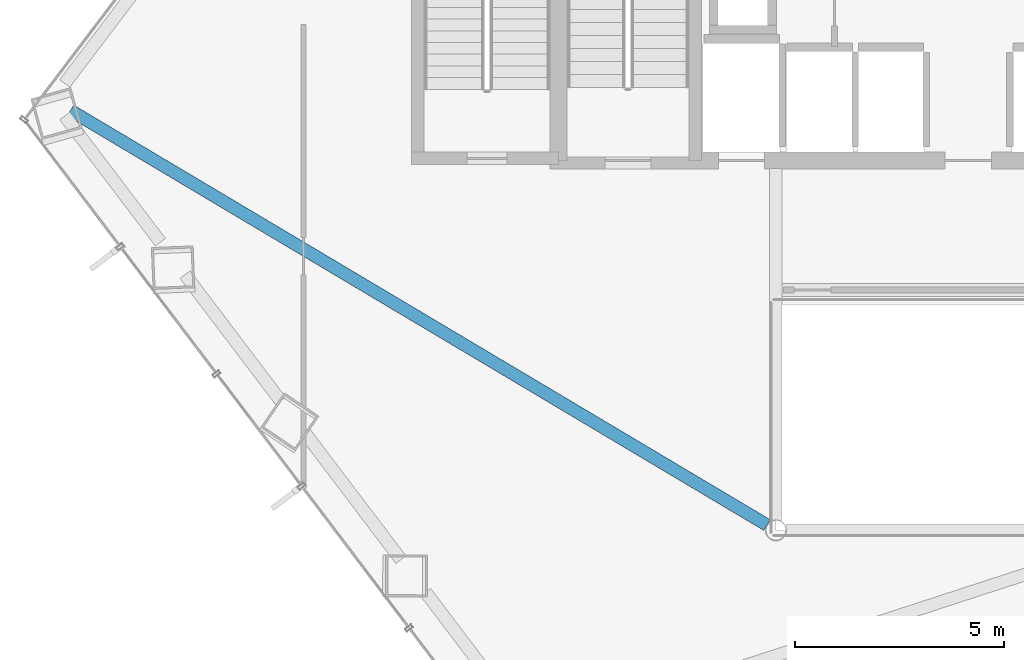
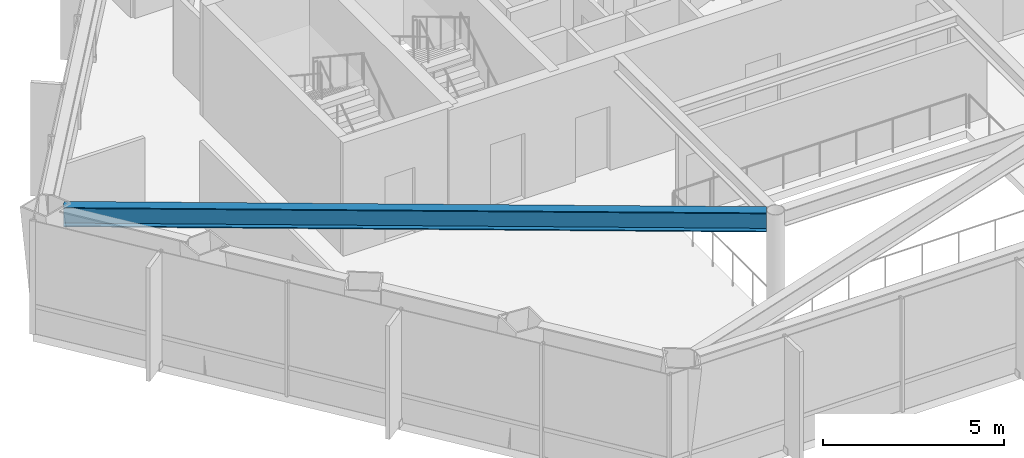
# One storey, part 5 of 27: 1 beam.
"""IFC4 building model written with IfcOpenShell, lengths in metres."""

from ifc_helpers import new_model, si_unit, direction, frame, origin, origin_2d, place, context, subcontext, project, spatial, i_section, extrude, material, material_profile, profile_set, type_object, element, save


model = new_model("IFC4")

# Units and contexts
model_context = context("Model", 3, precision=1e-05, world=origin(), true_north=direction((0.0, 1.0)))
body_context = subcontext(model_context, "Body", "Model", "MODEL_VIEW")
ifc_project = project(units=[si_unit("LENGTHUNIT", "METRE"), si_unit("AREAUNIT", "SQUARE_METRE"), si_unit("VOLUMEUNIT", "CUBIC_METRE"), si_unit("PLANEANGLEUNIT", "RADIAN"), si_unit("MASSUNIT", "GRAM", prefix="KILO")], contexts=[model_context])

# Site, building, storey
site_placement = place(None, origin())
site = spatial("IfcSite", under=ifc_project, at=site_placement, CompositionType="ELEMENT")
building_placement = place(site_placement, origin())
building = spatial("IfcBuilding", under=site, at=building_placement, Name="Zarrinselat Tower", CompositionType="ELEMENT")
storey_placement = place(building_placement, frame((0.0, 0.0, 47.93994140625)))
storey = spatial("IfcBuildingStorey", under=building, at=storey_placement, Name="L11", CompositionType="ELEMENT", Elevation=47.93994140625)

# Beam
ifc_material = material(Name="Steel S355J2", Category="steel")
ifc_material_profile = material_profile(ifc_material, i_section(OverallWidth=0.300048828125, OverallDepth=0.64990234375, WebThickness=0.01611328125, FlangeThickness=0.031005859375, at=origin_2d()), Name="HEB 650")
ifc_profile_set = profile_set([ifc_material_profile], Name="Steel S355J2")
beam_type = type_object("IfcBeamType", Name="BM-HEB650", PredefinedType="BEAM", material=ifc_profile_set)
beam_placement = place(storey_placement, frame((16.923828125, 34.4453125, 3.4951171875), z_axis=(0.859293016173, -0.511483638405, 0.0), x_axis=(0.511483638405, 0.859293016173, 0.0)))
element("IfcBeam", 1, at=beam_placement, inside=storey, type_object=beam_type, Name="L11 Radial Primary Girder RG06", PredefinedType="BEAM", context=body_context, shape_type="SweptSolid", body=[
    extrude(i_section(OverallWidth=0.300048828125, OverallDepth=0.64990234375, WebThickness=0.01611328125, FlangeThickness=0.031005859375, at=origin_2d()), origin(), (0.0, 0.0, 1.0), 19.3896484375),
])

save(model, "model.ifc")
